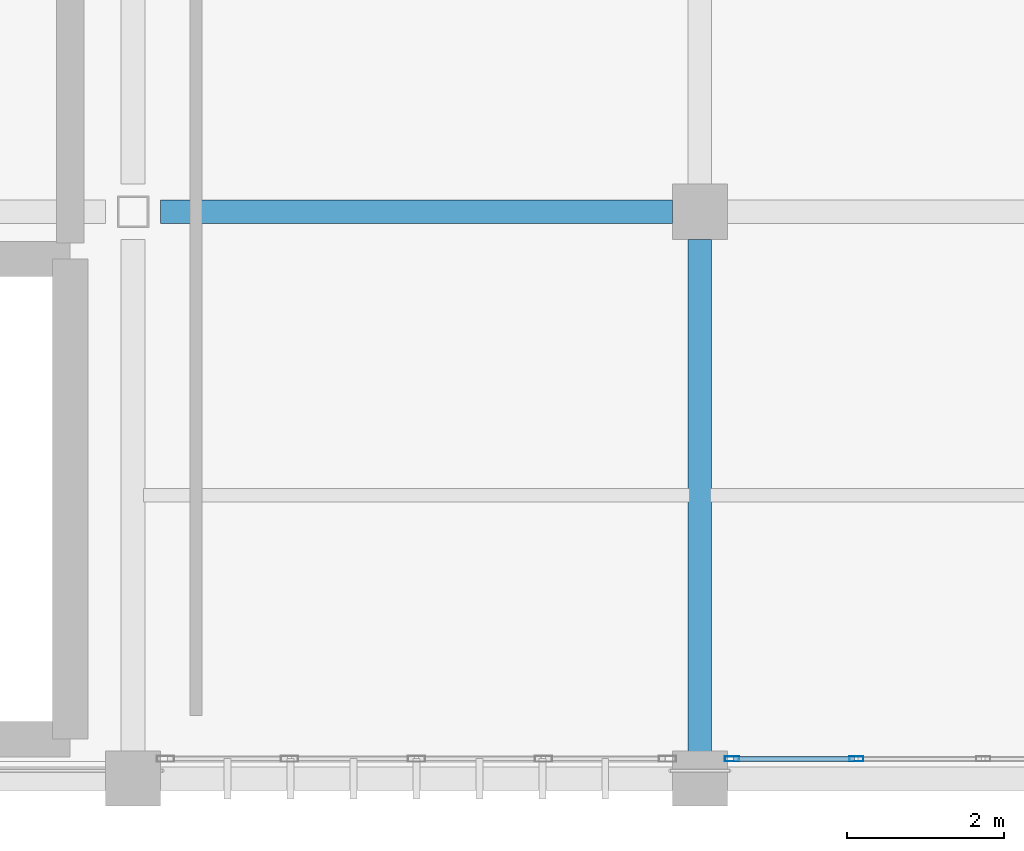
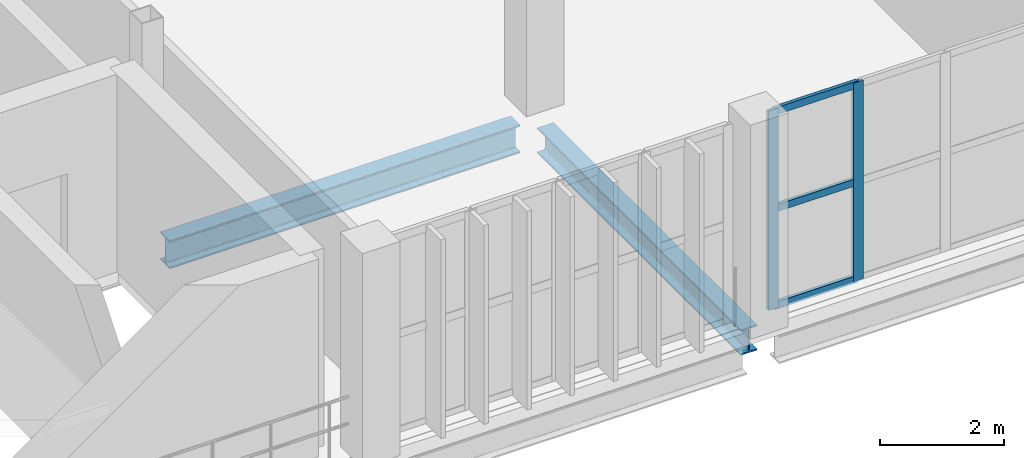
# One storey, part 37 of 130: 5 members, 2 beams, 1 element without a shape of its own.
"""IFC4 building model written with IfcOpenShell, lengths in metres."""

from ifc_helpers import new_model, si_unit, direction, frame, origin, origin_2d, place, context, subcontext, project, spatial, hollow_rectangle, i_section, extrude, material, material_profile, profile_set, type_object, element, aggregate, save


model = new_model("IFC4")

# Units and contexts
model_context = context("Model", 3, precision=1e-05, world=origin(), true_north=direction((0.0, 1.0)))
body_context = subcontext(model_context, "Body", "Model", "MODEL_VIEW")
ifc_project = project(units=[si_unit("LENGTHUNIT", "METRE"), si_unit("AREAUNIT", "SQUARE_METRE"), si_unit("VOLUMEUNIT", "CUBIC_METRE"), si_unit("PLANEANGLEUNIT", "RADIAN"), si_unit("MASSUNIT", "GRAM", prefix="KILO")], contexts=[model_context])

# Site, building, storey
site_placement = place(None, origin())
site = spatial("IfcSite", under=ifc_project, at=site_placement, CompositionType="ELEMENT")
building_placement = place(site_placement, origin())
building = spatial("IfcBuilding", under=site, at=building_placement, Name="Qandorah Velis Arena", CompositionType="ELEMENT")
storey_placement = place(building_placement, frame((0.0, 0.0, 9.60009765625)))
storey = spatial("IfcBuildingStorey", under=building, at=storey_placement, Name="L02", CompositionType="ELEMENT", Elevation=9.60009765625)

# Curtain wall, members
ifc_material_1 = material(Name="Solar-control low-E double glazing", Category="glass")
curtain_wall_type = type_object("IfcCurtainWallType", Name="ARC-CW-SYS18", PredefinedType="USERDEFINED", material=ifc_material_1)
curtain_wall_placement = place(storey_placement, origin())
curtain_wall = element("IfcCurtainWall", 1, at=curtain_wall_placement, inside=storey, type_object=curtain_wall_type, Name="Unitised curtain wall L02-066", ObjectType="UNITISED CURTAIN WALL", PredefinedType="USERDEFINED")
ifc_material_2 = material(Name="Champagne-bronze anodized aluminium 6063-T6", Category="aluminium")
ifc_material_profile_1 = material_profile(ifc_material_2, hollow_rectangle(XDim=0.06494140625, YDim=0.179931640625, WallThickness=0.00341796875, at=origin_2d()), Name="ALU MULLION 65x180")
ifc_profile_set_1 = profile_set([ifc_material_profile_1], Name="Champagne-bronze anodized aluminium 6063-T6")
member_type_1 = type_object("IfcMemberType", Name="ARC-CWM-180", PredefinedType="MULLION", material=ifc_profile_set_1)
member_1_placement = place(storey_placement, frame((94.007568359375, 0.25, -0.01513671875), z_axis=(0.0, 0.0, 1.0), x_axis=(0.0, 1.0, 0.0)))
member_1 = element("IfcMember", 2, at=member_1_placement, type_object=member_type_1, Name="CW18 mullion 1", PredefinedType="MULLION", context=body_context, shape_type="SweptSolid", body=[
    extrude(hollow_rectangle(XDim=0.06494140625, YDim=0.179931640625, WallThickness=0.00341796875, at=origin_2d()), origin(), (0.0, 0.0, 1.0), 3.91015625),
])
member_2_placement = place(storey_placement, frame((95.58740234375, 0.25, -0.01513671875), z_axis=(0.0, 0.0, 1.0), x_axis=(0.0, 1.0, 0.0)))
member_2 = element("IfcMember", 3, at=member_2_placement, type_object=member_type_1, Name="CW18 mullion 2", PredefinedType="MULLION", context=body_context, shape_type="SweptSolid", body=[
    extrude(hollow_rectangle(XDim=0.06494140625, YDim=0.179931640625, WallThickness=0.00341796875, at=origin_2d()), origin(), (0.0, 0.0, 1.0), 3.91015625),
])
ifc_material_profile_2 = material_profile(ifc_material_2, hollow_rectangle(XDim=0.06494140625, YDim=0.139892578125, WallThickness=0.0029296875, at=origin_2d()), Name="ALU TRANSOM 65x140")
ifc_profile_set_2 = profile_set([ifc_material_profile_2], Name="Champagne-bronze anodized aluminium 6063-T6")
member_type_2 = type_object("IfcMemberType", Name="ARC-CWT-140", PredefinedType="USERDEFINED", material=ifc_profile_set_2)
member_3_placement = place(storey_placement, frame((94.028076171875, 0.25, 0.032470703125), z_axis=(1.0, 0.0, 0.0), x_axis=(0.0, 1.0, 0.0)))
member_3 = element("IfcMember", 4, at=member_3_placement, type_object=member_type_2, Name="CW18 transom 1.1", ObjectType="TRANSOM", PredefinedType="USERDEFINED", context=body_context, shape_type="SweptSolid", body=[
    extrude(hollow_rectangle(XDim=0.06494140625, YDim=0.139892578125, WallThickness=0.0029296875, at=origin_2d()), origin(), (0.0, 0.0, 1.0), 1.538818359375),
])
member_4_placement = place(storey_placement, frame((94.028076171875, 0.25, 1.93994140625), z_axis=(1.0, 0.0, 0.0), x_axis=(0.0, 1.0, 0.0)))
member_4 = element("IfcMember", 5, at=member_4_placement, type_object=member_type_2, Name="CW18 transom 1.2", ObjectType="TRANSOM", PredefinedType="USERDEFINED", context=body_context, shape_type="SweptSolid", body=[
    extrude(hollow_rectangle(XDim=0.06494140625, YDim=0.139892578125, WallThickness=0.0029296875, at=origin_2d()), origin(), (0.0, 0.0, 1.0), 1.538818359375),
])
member_5_placement = place(storey_placement, frame((94.028076171875, 0.25, 3.847412109375), z_axis=(1.0, 0.0, 0.0), x_axis=(0.0, 1.0, 0.0)))
member_5 = element("IfcMember", 6, at=member_5_placement, type_object=member_type_2, Name="CW18 transom 1.3", ObjectType="TRANSOM", PredefinedType="USERDEFINED", context=body_context, shape_type="SweptSolid", body=[
    extrude(hollow_rectangle(XDim=0.06494140625, YDim=0.139892578125, WallThickness=0.0029296875, at=origin_2d()), origin(), (0.0, 0.0, 1.0), 1.538818359375),
])
aggregate(curtain_wall, [member_1, member_2, member_3, member_4, member_5])

# Beams
ifc_material_3 = material(Name="Steel S355", Category="steel")
ifc_material_profile_3 = material_profile(ifc_material_3, i_section(OverallWidth=0.300048828125, OverallDepth=0.5, WebThickness=0.014404296875, FlangeThickness=0.028076171875, FilletRadius=0.027099609375, at=origin_2d()), Name="HEB 500")
ifc_profile_set_3 = profile_set([ifc_material_profile_3], Name="Steel S355")
beam_type_1 = type_object("IfcBeamType", Name="STR-BM-HEB500", PredefinedType="BEAM", material=ifc_profile_set_3)
beam_1_placement = place(storey_placement, frame((93.60009765625, 0.300048828125, -0.530029296875), z_axis=(0.0, 1.0, 0.0), x_axis=(-1.0, 0.0, 0.0)))
element("IfcBeam", 7, at=beam_1_placement, inside=storey, type_object=beam_type_1, Name="Primary floor girder L02 Y-280", PredefinedType="BEAM", context=body_context, shape_type="SweptSolid", body=[
    extrude(i_section(OverallWidth=0.300048828125, OverallDepth=0.5, WebThickness=0.014404296875, FlangeThickness=0.028076171875, FilletRadius=0.027099609375, at=origin_2d()), origin(), (0.0, 0.0, 1.0), 6.550048828125),
])
ifc_material_profile_4 = material_profile(ifc_material_3, i_section(OverallWidth=0.300048828125, OverallDepth=0.550048828125, WebThickness=0.014892578125, FlangeThickness=0.029052734375, FilletRadius=0.027099609375, at=origin_2d()), Name="HEB 550")
ifc_profile_set_4 = profile_set([ifc_material_profile_4], Name="Steel S355")
beam_type_2 = type_object("IfcBeamType", Name="STR-BM-HEB550", PredefinedType="BEAM", material=ifc_profile_set_4)
beam_2_placement = place(storey_placement, frame((86.75, 7.199951171875, -0.55517578125), z_axis=(1.0, 0.0, 0.0), x_axis=(0.0, 1.0, 0.0)))
element("IfcBeam", 8, at=beam_2_placement, inside=storey, type_object=beam_type_2, Name="Primary floor girder L02 X-021", PredefinedType="BEAM", context=body_context, shape_type="SweptSolid", body=[
    extrude(i_section(OverallWidth=0.300048828125, OverallDepth=0.550048828125, WebThickness=0.014892578125, FlangeThickness=0.029052734375, FilletRadius=0.027099609375, at=origin_2d()), origin(), (0.0, 0.0, 1.0), 6.5),
])

save(model, "model.ifc")
